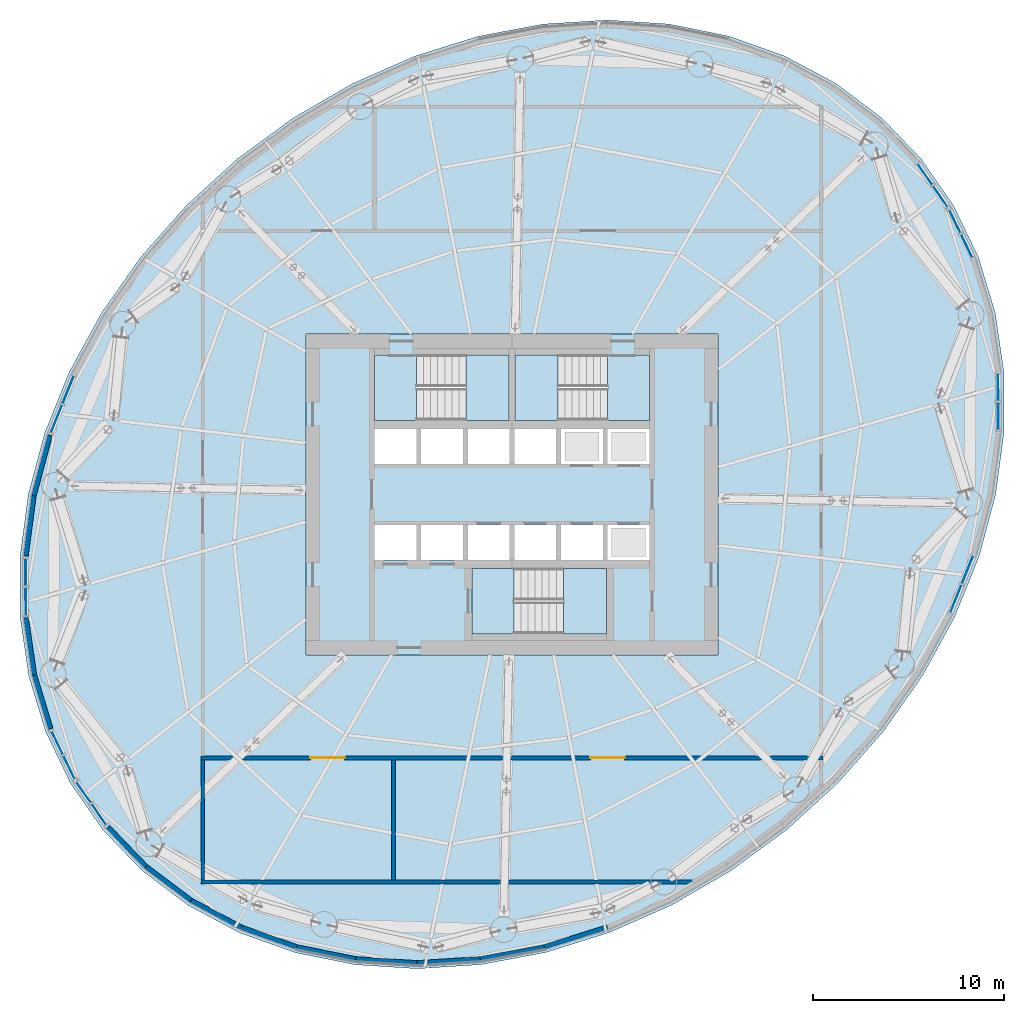
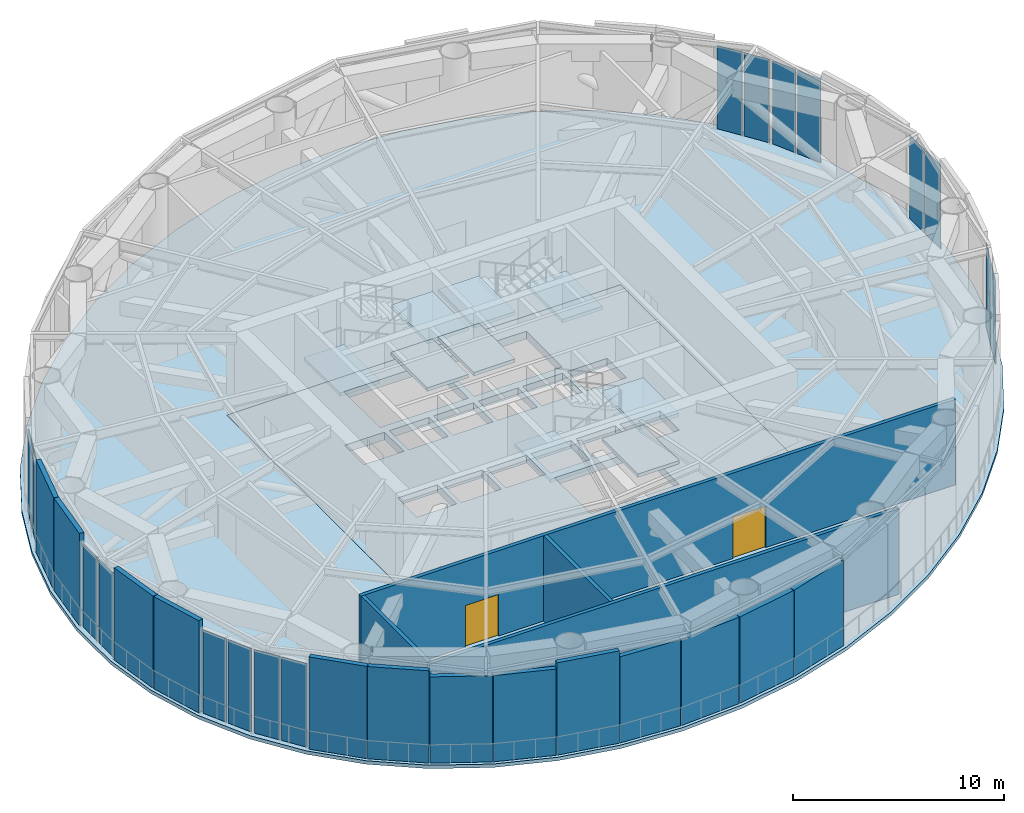
# One storey, part 7 of 19: 17 walls, 16 plates, 11 slabs, 2 doors, 2 openings, 11 elements without a shape of their own.
"""IFC4 building model written with IfcOpenShell, lengths in metres."""

from ifc_helpers import new_model, si_unit, direction, frame, frame_2d, origin, origin_2d, place, context, subcontext, project, spatial, polyline, rectangle, outline, extrude, material, layer, layer_set, type_object, element, fill, aggregate, save


model = new_model("IFC4")

# Units and contexts
model_context = context("Model", 3, precision=1e-05, world=origin(), true_north=direction((0.0, 1.0)))
body_context = subcontext(model_context, "Body", "Model", "MODEL_VIEW")
ifc_project = project(units=[si_unit("LENGTHUNIT", "METRE"), si_unit("AREAUNIT", "SQUARE_METRE"), si_unit("VOLUMEUNIT", "CUBIC_METRE"), si_unit("PLANEANGLEUNIT", "RADIAN"), si_unit("MASSUNIT", "GRAM", prefix="KILO")], contexts=[model_context])

# Site, building, storey
site_placement = place(None, origin())
site = spatial("IfcSite", under=ifc_project, at=site_placement, CompositionType="ELEMENT")
building_placement = place(site_placement, origin())
building = spatial("IfcBuilding", under=site, at=building_placement, Name="Vermilion Reach Broadcast Tower", CompositionType="ELEMENT")
storey_placement = place(building_placement, frame((0.0, 0.0, 190.199951171875)))
storey = spatial("IfcBuildingStorey", under=building, at=storey_placement, Name="L46", CompositionType="ELEMENT", Elevation=190.199951171875)

# Curtain wall, plates
ifc_material_1 = material(Name="Low-e laminated clear glass in aluminium frame", Category="aluminium")
curtain_wall_type = type_object("IfcCurtainWallType", Name="Belt glazing curtain wall", PredefinedType="NOTDEFINED", material=ifc_material_1)
placement_1 = place(storey_placement, origin())
curtain_wall_1 = element("IfcCurtainWall", 1, at=placement_1, inside=storey, type_object=curtain_wall_type, Name="Sky lobby glazing L46 01", PredefinedType="NOTDEFINED")
ifc_material_2 = material(Name="Low-e laminated clear glass", Category="glass")
ifc_layer_1 = layer(ifc_material_2, 0.035888671875)
ifc_layer_set_1 = layer_set([ifc_layer_1], Name="Belt glazing glass panel")
plate_type = type_object("IfcPlateType", Name="Belt glazing glass panel", PredefinedType="CURTAIN_PANEL", material=ifc_layer_set_1)
plate_1_placement = place(storey_placement, frame((-29.241455078125, 5.47802734375, 0.0), z_axis=(0.0, 0.0, 1.0), x_axis=(-0.373605283717, -0.927587781279, 0.0)))
plate_1 = element("IfcPlate", 2, at=plate_1_placement, type_object=plate_type, Name="Sky lobby glazing glass panel L46 01.1.1", PredefinedType="CURTAIN_PANEL", context=body_context, shape_type="SweptSolid", body=[
    extrude(rectangle(XDim=1.55029296875, YDim=0.035888671875, at=origin_2d()), origin(), (0.0, 0.0, 1.0), 4.830078125),
])
plate_2_placement = place(storey_placement, frame((-29.85791015625, 3.947265625, 0.0), z_axis=(0.0, 0.0, 1.0), x_axis=(-0.373605283717, -0.927587781279, 0.0)))
plate_2 = element("IfcPlate", 3, at=plate_2_placement, type_object=plate_type, Name="Sky lobby glazing glass panel L46 01.2.1", PredefinedType="CURTAIN_PANEL", context=body_context, shape_type="SweptSolid", body=[
    extrude(rectangle(XDim=1.55029296875, YDim=0.035888671875, at=origin_2d()), origin(), (0.0, 0.0, 1.0), 4.830078125),
])
aggregate(curtain_wall_1, [plate_1, plate_2])

curtain_wall_2 = element("IfcCurtainWall", 4, at=placement_1, inside=storey, type_object=curtain_wall_type, Name="Sky lobby glazing L46 01", PredefinedType="NOTDEFINED")
plate_3_placement = place(storey_placement, frame((-31.46435546875, -4.08544921875, 0.0), z_axis=(0.0, 0.0, 1.0), x_axis=(0.002886255127, -0.999995834757, 0.0)))
plate_3 = element("IfcPlate", 5, at=plate_3_placement, type_object=plate_type, Name="Sky lobby glazing glass panel L46 01.1.1", PredefinedType="CURTAIN_PANEL", context=body_context, shape_type="SweptSolid", body=[
    extrude(rectangle(XDim=1.422607421875, YDim=0.035888671875, at=origin_2d()), origin(), (0.0, 0.0, 1.0), 4.830078125),
])
plate_4_placement = place(storey_placement, frame((-31.4599609375, -5.608154296875, 0.0), z_axis=(0.0, 0.0, 1.0), x_axis=(0.002886255127, -0.999995834757, 0.0)))
plate_4 = element("IfcPlate", 6, at=plate_4_placement, type_object=plate_type, Name="Sky lobby glazing glass panel L46 01.2.1", PredefinedType="CURTAIN_PANEL", context=body_context, shape_type="SweptSolid", body=[
    extrude(rectangle(XDim=1.422607421875, YDim=0.035888671875, at=origin_2d()), origin(), (0.0, 0.0, 1.0), 4.830078125),
])
aggregate(curtain_wall_2, [plate_3, plate_4])

curtain_wall_3 = element("IfcCurtainWall", 7, at=placement_1, inside=storey, type_object=curtain_wall_type, Name="Sky lobby glazing L46 01", PredefinedType="NOTDEFINED")
plate_5_placement = place(storey_placement, frame((-29.8134765625, -13.01025390625, 0.0), z_axis=(0.0, 0.0, 1.0), x_axis=(0.433902016358, -0.900960065819, 0.0)))
plate_5 = element("IfcPlate", 8, at=plate_5_placement, type_object=plate_type, Name="Sky lobby glazing glass panel L46 01.1.1", PredefinedType="CURTAIN_PANEL", context=body_context, shape_type="SweptSolid", body=[
    extrude(rectangle(XDim=1.325439453125, YDim=0.035888671875, at=origin_2d()), origin(), (0.0, 0.0, 1.0), 4.830078125),
])
plate_6_placement = place(storey_placement, frame((-29.19482421875, -14.294677734375, 0.0), z_axis=(0.0, 0.0, 1.0), x_axis=(0.433902016358, -0.900960065819, 0.0)))
plate_6 = element("IfcPlate", 9, at=plate_6_placement, type_object=plate_type, Name="Sky lobby glazing glass panel L46 01.2.1", PredefinedType="CURTAIN_PANEL", context=body_context, shape_type="SweptSolid", body=[
    extrude(rectangle(XDim=1.325439453125, YDim=0.035888671875, at=origin_2d()), origin(), (0.0, 0.0, 1.0), 4.830078125),
])
aggregate(curtain_wall_3, [plate_5, plate_6])

curtain_wall_4 = element("IfcCurtainWall", 10, at=placement_1, inside=storey, type_object=curtain_wall_type, Name="Sky lobby glazing L46 02", PredefinedType="NOTDEFINED")
plate_7_placement = place(storey_placement, frame((-28.432373046875, -15.60302734375, 0.0), z_axis=(0.0, 0.0, 1.0), x_axis=(0.570524096839, -0.821280862388, 0.0)))
plate_7 = element("IfcPlate", 11, at=plate_7_placement, type_object=plate_type, Name="Sky lobby glazing glass panel L46 02.1.1", PredefinedType="CURTAIN_PANEL", context=body_context, shape_type="SweptSolid", body=[
    extrude(rectangle(XDim=1.31298828125, YDim=0.035888671875, at=origin_2d()), origin(), (0.0, 0.0, 1.0), 4.830078125),
])
plate_8_placement = place(storey_placement, frame((-27.626220703125, -16.763427734375, 0.0), z_axis=(0.0, 0.0, 1.0), x_axis=(0.570524096839, -0.821280862388, 0.0)))
plate_8 = element("IfcPlate", 12, at=plate_8_placement, type_object=plate_type, Name="Sky lobby glazing glass panel L46 02.2.1", PredefinedType="CURTAIN_PANEL", context=body_context, shape_type="SweptSolid", body=[
    extrude(rectangle(XDim=1.31298828125, YDim=0.035888671875, at=origin_2d()), origin(), (0.0, 0.0, 1.0), 4.830078125),
])
aggregate(curtain_wall_4, [plate_7, plate_8])

curtain_wall_5 = element("IfcCurtainWall", 13, at=placement_1, inside=storey, type_object=curtain_wall_type, Name="Sky lobby glazing L46 01", PredefinedType="NOTDEFINED")
plate_9_placement = place(storey_placement, frame((17.241455078125, -5.47802734375, 0.0), z_axis=(0.0, 0.0, 1.0), x_axis=(0.373605283717, 0.927587781279, 0.0)))
plate_9 = element("IfcPlate", 14, at=plate_9_placement, type_object=plate_type, Name="Sky lobby glazing glass panel L46 01.1.1", PredefinedType="CURTAIN_PANEL", context=body_context, shape_type="SweptSolid", body=[
    extrude(rectangle(XDim=1.55029296875, YDim=0.035888671875, at=origin_2d()), origin(), (0.0, 0.0, 1.0), 4.830078125),
])
plate_10_placement = place(storey_placement, frame((17.85791015625, -3.947265625, 0.0), z_axis=(0.0, 0.0, 1.0), x_axis=(0.373605283717, 0.927587781279, 0.0)))
plate_10 = element("IfcPlate", 15, at=plate_10_placement, type_object=plate_type, Name="Sky lobby glazing glass panel L46 01.2.1", PredefinedType="CURTAIN_PANEL", context=body_context, shape_type="SweptSolid", body=[
    extrude(rectangle(XDim=1.55029296875, YDim=0.035888671875, at=origin_2d()), origin(), (0.0, 0.0, 1.0), 4.830078125),
])
aggregate(curtain_wall_5, [plate_9, plate_10])

curtain_wall_6 = element("IfcCurtainWall", 16, at=placement_1, inside=storey, type_object=curtain_wall_type, Name="Sky lobby glazing L46 01", PredefinedType="NOTDEFINED")
plate_11_placement = place(storey_placement, frame((19.46435546875, 4.08544921875, 0.0), z_axis=(0.0, 0.0, 1.0), x_axis=(-0.002886255127, 0.999995834757, 0.0)))
plate_11 = element("IfcPlate", 17, at=plate_11_placement, type_object=plate_type, Name="Sky lobby glazing glass panel L46 01.1.1", PredefinedType="CURTAIN_PANEL", context=body_context, shape_type="SweptSolid", body=[
    extrude(rectangle(XDim=1.422607421875, YDim=0.035888671875, at=origin_2d()), origin(), (0.0, 0.0, 1.0), 4.830078125),
])
plate_12_placement = place(storey_placement, frame((19.4599609375, 5.608154296875, 0.0), z_axis=(0.0, 0.0, 1.0), x_axis=(-0.002886255127, 0.999995834757, 0.0)))
plate_12 = element("IfcPlate", 18, at=plate_12_placement, type_object=plate_type, Name="Sky lobby glazing glass panel L46 01.2.1", PredefinedType="CURTAIN_PANEL", context=body_context, shape_type="SweptSolid", body=[
    extrude(rectangle(XDim=1.422607421875, YDim=0.035888671875, at=origin_2d()), origin(), (0.0, 0.0, 1.0), 4.830078125),
])
aggregate(curtain_wall_6, [plate_11, plate_12])

curtain_wall_7 = element("IfcCurtainWall", 19, at=placement_1, inside=storey, type_object=curtain_wall_type, Name="Sky lobby glazing L46 01", PredefinedType="NOTDEFINED")
plate_13_placement = place(storey_placement, frame((17.8134765625, 13.01025390625, 0.0), z_axis=(0.0, 0.0, 1.0), x_axis=(-0.433902016358, 0.900960065819, 0.0)))
plate_13 = element("IfcPlate", 20, at=plate_13_placement, type_object=plate_type, Name="Sky lobby glazing glass panel L46 01.1.1", PredefinedType="CURTAIN_PANEL", context=body_context, shape_type="SweptSolid", body=[
    extrude(rectangle(XDim=1.325439453125, YDim=0.035888671875, at=origin_2d()), origin(), (0.0, 0.0, 1.0), 4.830078125),
])
plate_14_placement = place(storey_placement, frame((17.19482421875, 14.294677734375, 0.0), z_axis=(0.0, 0.0, 1.0), x_axis=(-0.433902016358, 0.900960065819, 0.0)))
plate_14 = element("IfcPlate", 21, at=plate_14_placement, type_object=plate_type, Name="Sky lobby glazing glass panel L46 01.2.1", PredefinedType="CURTAIN_PANEL", context=body_context, shape_type="SweptSolid", body=[
    extrude(rectangle(XDim=1.325439453125, YDim=0.035888671875, at=origin_2d()), origin(), (0.0, 0.0, 1.0), 4.830078125),
])
aggregate(curtain_wall_7, [plate_13, plate_14])

curtain_wall_8 = element("IfcCurtainWall", 22, at=placement_1, inside=storey, type_object=curtain_wall_type, Name="Sky lobby glazing L46 02", PredefinedType="NOTDEFINED")
plate_15_placement = place(storey_placement, frame((16.432373046875, 15.60302734375, 0.0), z_axis=(0.0, 0.0, 1.0), x_axis=(-0.570524096839, 0.821280862388, 0.0)))
plate_15 = element("IfcPlate", 23, at=plate_15_placement, type_object=plate_type, Name="Sky lobby glazing glass panel L46 02.1.1", PredefinedType="CURTAIN_PANEL", context=body_context, shape_type="SweptSolid", body=[
    extrude(rectangle(XDim=1.31298828125, YDim=0.035888671875, at=origin_2d()), origin(), (0.0, 0.0, 1.0), 4.830078125),
])
plate_16_placement = place(storey_placement, frame((15.626220703125, 16.763427734375, 0.0), z_axis=(0.0, 0.0, 1.0), x_axis=(-0.570524096839, 0.821280862388, 0.0)))
plate_16 = element("IfcPlate", 24, at=plate_16_placement, type_object=plate_type, Name="Sky lobby glazing glass panel L46 02.2.1", PredefinedType="CURTAIN_PANEL", context=body_context, shape_type="SweptSolid", body=[
    extrude(rectangle(XDim=1.31298828125, YDim=0.035888671875, at=origin_2d()), origin(), (0.0, 0.0, 1.0), 4.830078125),
])
aggregate(curtain_wall_8, [plate_15, plate_16])

# Slab
ifc_material_3 = material(Name="Concrete C40", Category="concrete")
ifc_layer_2 = layer(ifc_material_3, 0.449951171875)
ifc_layer_set_2 = layer_set([ifc_layer_2], Name="Core floor slab 450 mm Concrete C40")
slab_type_1 = type_object("IfcSlabType", Name="Core floor slab 450 mm Concrete C40", PredefinedType="FLOOR", material=ifc_layer_set_2)
slab_1_placement = place(storey_placement, frame((0.0, 0.0, -0.449951171875)))
element("IfcSlab", 25, at=slab_1_placement, inside=storey, type_object=slab_type_1, Name="L46 core floor", PredefinedType="FLOOR", context=body_context, shape_type="SweptSolid", body=[
    extrude(outline(polyline([(-16.800048828125, -8.39990234375), (4.800048828125, -8.39990234375), (4.800048828125, 8.39990234375), (-16.800048828125, 8.39990234375), (-16.800048828125, -8.39990234375)]), holes=[polyline([(-13.199951171875, 1.60009765625), (-11.00830078125, 1.60009765625), (-11.00830078125, 3.429931640625), (-13.199951171875, 3.429931640625), (-13.199951171875, 1.60009765625)]), polyline([(-10.75830078125, 1.60009765625), (-8.566650390625, 1.60009765625), (-8.566650390625, 3.429931640625), (-10.75830078125, 3.429931640625), (-10.75830078125, 1.60009765625)]), polyline([(-8.316650390625, 1.60009765625), (-6.125, 1.60009765625), (-6.125, 3.429931640625), (-8.316650390625, 3.429931640625), (-8.316650390625, 1.60009765625)]), polyline([(-5.875, 1.60009765625), (-3.683349609375, 1.60009765625), (-3.683349609375, 3.429931640625), (-5.875, 3.429931640625), (-5.875, 1.60009765625)]), polyline([(-3.433349609375, 1.60009765625), (-1.24169921875, 1.60009765625), (-1.24169921875, 3.429931640625), (-3.433349609375, 3.429931640625), (-3.433349609375, 1.60009765625)]), polyline([(-0.99169921875, 1.60009765625), (1.199951171875, 1.60009765625), (1.199951171875, 3.429931640625), (-0.99169921875, 3.429931640625), (-0.99169921875, 1.60009765625)]), polyline([(-13.199951171875, -3.429931640625), (-11.00830078125, -3.429931640625), (-11.00830078125, -1.60009765625), (-13.199951171875, -1.60009765625), (-13.199951171875, -3.429931640625)]), polyline([(-10.75830078125, -3.429931640625), (-8.566650390625, -3.429931640625), (-8.566650390625, -1.60009765625), (-10.75830078125, -1.60009765625), (-10.75830078125, -3.429931640625)]), polyline([(-8.316650390625, -3.429931640625), (-6.125, -3.429931640625), (-6.125, -1.60009765625), (-8.316650390625, -1.60009765625), (-8.316650390625, -3.429931640625)]), polyline([(-5.875, -3.429931640625), (-3.683349609375, -3.429931640625), (-3.683349609375, -1.60009765625), (-5.875, -1.60009765625), (-5.875, -3.429931640625)]), polyline([(-3.433349609375, -3.429931640625), (-1.24169921875, -3.429931640625), (-1.24169921875, -1.60009765625), (-3.433349609375, -1.60009765625), (-3.433349609375, -3.429931640625)]), polyline([(-0.99169921875, -3.429931640625), (1.199951171875, -3.429931640625), (1.199951171875, -1.60009765625), (-0.99169921875, -1.60009765625), (-0.99169921875, -3.429931640625)]), polyline([(-10.999267578125, 3.8798828125), (-6.14990234375, 3.8798828125), (-6.14990234375, 7.300048828125), (-10.999267578125, 7.300048828125), (-10.999267578125, 3.8798828125)]), polyline([(-1.000732421875, 7.300048828125), (-5.85009765625, 7.300048828125), (-5.85009765625, 3.8798828125), (-1.000732421875, 3.8798828125), (-1.000732421875, 7.300048828125)]), polyline([(-5.8994140625, -7.300048828125), (-1.050048828125, -7.300048828125), (-1.050048828125, -3.8798828125), (-5.8994140625, -3.8798828125), (-5.8994140625, -7.300048828125)])]), origin(), (0.0, 0.0, 1.0), 0.449951171875),
])

# Stair, slabs
ifc_material_4 = material(Name="Concrete C40", Category="concrete")
stair_type = type_object("IfcStairType", Name="Exit stair RC 32 risers 172 mm", PredefinedType="HALF_TURN_STAIR", material=ifc_material_4)
stair_1 = element("IfcStair", 26, at=placement_1, inside=storey, type_object=stair_type, Name="L46 Exit stair ST1", PredefinedType="HALF_TURN_STAIR")
ifc_material_5 = material(Name="Concrete C40", Category="concrete")
ifc_layer_3 = layer(ifc_material_5, 0.199951171875)
ifc_layer_set_3 = layer_set([ifc_layer_3], Name="Exit stair landing Concrete C40")
slab_type_2 = type_object("IfcSlabType", Name="Exit stair landing Concrete C40", PredefinedType="LANDING", material=ifc_layer_set_3)
placement_2 = place(storey_placement, frame((0.0, 0.0, 1.175048828125)))
slab_2 = element("IfcSlab", 27, at=placement_2, type_object=slab_type_2, Name="ST1 landing 1", PredefinedType="LANDING", context=body_context, shape_type="SweptSolid", body=[
    extrude(outline(polyline([(-8.409912109375, 3.8798828125), (-6.14990234375, 3.8798828125), (-6.14990234375, 7.300048828125), (-8.409912109375, 7.300048828125), (-8.409912109375, 3.8798828125)])), origin(), (0.0, 0.0, 1.0), 0.199951171875),
])
placement_3 = place(storey_placement, frame((0.0, 0.0, 2.550048828125)))
slab_3 = element("IfcSlab", 28, at=placement_3, type_object=slab_type_2, Name="ST1 landing 2", PredefinedType="LANDING", context=body_context, shape_type="SweptSolid", body=[
    extrude(outline(polyline([(-13.199951171875, 3.8798828125), (-11.0, 3.8798828125), (-11.0, 7.300048828125), (-13.199951171875, 7.300048828125), (-13.199951171875, 3.8798828125)])), origin(), (0.0, 0.0, 1.0), 0.199951171875),
])
placement_4 = place(storey_placement, frame((0.0, 0.0, 3.925048828125)))
slab_4 = element("IfcSlab", 29, at=placement_4, type_object=slab_type_2, Name="ST1 landing 3", PredefinedType="LANDING", context=body_context, shape_type="SweptSolid", body=[
    extrude(outline(polyline([(-8.409912109375, 3.8798828125), (-6.14990234375, 3.8798828125), (-6.14990234375, 7.300048828125), (-8.409912109375, 7.300048828125), (-8.409912109375, 3.8798828125)])), origin(), (0.0, 0.0, 1.0), 0.199951171875),
])
aggregate(stair_1, [slab_2, slab_3, slab_4])

stair_2 = element("IfcStair", 30, at=placement_1, inside=storey, type_object=stair_type, Name="L46 Exit stair ST2", PredefinedType="HALF_TURN_STAIR")
slab_5 = element("IfcSlab", 31, at=placement_2, type_object=slab_type_2, Name="ST2 landing 1", PredefinedType="LANDING", context=body_context, shape_type="SweptSolid", body=[
    extrude(outline(polyline([(-3.590087890625, 7.300048828125), (-5.85009765625, 7.300048828125), (-5.85009765625, 3.8798828125), (-3.590087890625, 3.8798828125), (-3.590087890625, 7.300048828125)])), origin(), (0.0, 0.0, 1.0), 0.199951171875),
])
slab_6 = element("IfcSlab", 32, at=placement_3, type_object=slab_type_2, Name="ST2 landing 2", PredefinedType="LANDING", context=body_context, shape_type="SweptSolid", body=[
    extrude(outline(polyline([(1.199951171875, 7.300048828125), (-1.0, 7.300048828125), (-1.0, 3.8798828125), (1.199951171875, 3.8798828125), (1.199951171875, 7.300048828125)])), origin(), (0.0, 0.0, 1.0), 0.199951171875),
])
slab_7 = element("IfcSlab", 33, at=placement_4, type_object=slab_type_2, Name="ST2 landing 3", PredefinedType="LANDING", context=body_context, shape_type="SweptSolid", body=[
    extrude(outline(polyline([(-3.590087890625, 7.300048828125), (-5.85009765625, 7.300048828125), (-5.85009765625, 3.8798828125), (-3.590087890625, 3.8798828125), (-3.590087890625, 7.300048828125)])), origin(), (0.0, 0.0, 1.0), 0.199951171875),
])
aggregate(stair_2, [slab_5, slab_6, slab_7])

stair_3 = element("IfcStair", 34, at=placement_1, inside=storey, type_object=stair_type, Name="L46 Exit stair ST3", PredefinedType="HALF_TURN_STAIR")
slab_8 = element("IfcSlab", 35, at=placement_2, type_object=slab_type_2, Name="ST3 landing 1", PredefinedType="LANDING", context=body_context, shape_type="SweptSolid", body=[
    extrude(outline(polyline([(-3.31005859375, -7.300048828125), (-1.050048828125, -7.300048828125), (-1.050048828125, -3.8798828125), (-3.31005859375, -3.8798828125), (-3.31005859375, -7.300048828125)])), origin(), (0.0, 0.0, 1.0), 0.199951171875),
])
slab_9 = element("IfcSlab", 36, at=placement_3, type_object=slab_type_2, Name="ST3 landing 2", PredefinedType="LANDING", context=body_context, shape_type="SweptSolid", body=[
    extrude(outline(polyline([(-8.10009765625, -7.300048828125), (-5.89990234375, -7.300048828125), (-5.89990234375, -3.8798828125), (-8.10009765625, -3.8798828125), (-8.10009765625, -7.300048828125)])), origin(), (0.0, 0.0, 1.0), 0.199951171875),
])
slab_10 = element("IfcSlab", 37, at=placement_4, type_object=slab_type_2, Name="ST3 landing 3", PredefinedType="LANDING", context=body_context, shape_type="SweptSolid", body=[
    extrude(outline(polyline([(-3.31005859375, -7.300048828125), (-1.050048828125, -7.300048828125), (-1.050048828125, -3.8798828125), (-3.31005859375, -3.8798828125), (-3.31005859375, -7.300048828125)])), origin(), (0.0, 0.0, 1.0), 0.199951171875),
])
aggregate(stair_3, [slab_8, slab_9, slab_10])

# Slab
ifc_material_6 = material(Name="Concrete C40", Category="concrete")
ifc_layer_4 = layer(ifc_material_6, 0.199951171875)
ifc_layer_set_4 = layer_set([ifc_layer_4], Name="Floor slab Concrete C40 200")
slab_type_3 = type_object("IfcSlabType", Name="Floor slab Concrete C40 200", PredefinedType="FLOOR", material=ifc_layer_set_4)
slab_11_placement = place(storey_placement, frame((0.0, 0.0, -0.199951171875)))
element("IfcSlab", 38, at=slab_11_placement, inside=storey, type_object=slab_type_3, Name="Floor slab L46", PredefinedType="FLOOR", context=body_context, shape_type="SweptSolid", body=[
    extrude(outline(polyline([(15.4267578125, 17.574951171875), (13.363525390625, 19.71630859375), (10.968994140625, 21.5205078125), (8.284423828125, 22.956298828125), (5.355224609375, 23.999267578125), (2.231689453125, 24.6318359375), (-1.03271484375, 24.8427734375), (-4.3818359375, 24.628662109375), (-7.759033203125, 23.9931640625), (-11.10595703125, 22.947021484375), (-14.365478515625, 21.508544921875), (-17.481689453125, 19.70166015625), (-20.40185546875, 17.557861328125), (-23.0751953125, 15.11376953125), (-25.45654296875, 12.410888671875), (-27.505126953125, 9.495849609375), (-29.185546875, 6.418212890625), (-30.469482421875, 3.230712890625), (-31.33447265625, -0.011962890625), (-31.76611328125, -3.254638671875), (-31.7568359375, -6.44140625), (-31.306884765625, -9.51806640625), (-30.424072265625, -12.431884765625), (-29.123046875, -15.1328125), (-27.4267578125, -17.574951171875), (-25.363525390625, -19.71630859375), (-22.968994140625, -21.5205078125), (-20.284423828125, -22.956298828125), (-17.355224609375, -23.999267578125), (-14.231689453125, -24.6318359375), (-10.96728515625, -24.8427734375), (-7.6181640625, -24.628662109375), (-4.240966796875, -23.9931640625), (-0.89404296875, -22.947021484375), (2.365478515625, -21.508544921875), (5.481689453125, -19.70166015625), (8.40185546875, -17.557861328125), (11.0751953125, -15.11376953125), (13.45654296875, -12.410888671875), (15.505126953125, -9.495849609375), (17.185546875, -6.418212890625), (18.469482421875, -3.230712890625), (19.33447265625, 0.011962890625), (19.76611328125, 3.254638671875), (19.7568359375, 6.44140625), (19.306884765625, 9.51806640625), (18.424072265625, 12.431884765625), (17.123046875, 15.1328125), (15.4267578125, 17.574951171875)]), holes=[polyline([(-16.800048828125, -8.39990234375), (4.800048828125, -8.39990234375), (4.800048828125, 8.39990234375), (-16.800048828125, 8.39990234375), (-16.800048828125, -8.39990234375)])]), origin(), (0.0, 0.0, 1.0), 0.199951171875),
])

# Wall, openings, doors
ifc_material_7 = material(Name="Gypsum board shaft wall")
ifc_layer_5 = layer(ifc_material_7, 0.199951171875)
ifc_layer_set_5 = layer_set([ifc_layer_5], Name="Plant room wall 200")
wall_type_1 = type_object("IfcWallType", Name="Plant room wall 200", PredefinedType="PARTITIONING", material=ifc_layer_set_5)
wall_1_placement = place(storey_placement, frame((-22.300048828125, -13.800048828125, 0.0), z_axis=(0.0, 0.0, 1.0), x_axis=(1.0, 0.0, 0.0)))
wall_1 = element("IfcWall", 39, at=wall_1_placement, inside=storey, type_object=wall_type_1, Name="sp.wall.L46.001", PredefinedType="PARTITIONING", context=body_context, shape_type="SweptSolid", body=[
    extrude(rectangle(XDim=32.60009765625, YDim=0.199951171875, at=frame_2d((16.300048828125, 0.0))), origin(), (0.0, 0.0, 1.0), 4.949951171875),
])
opening_1_placement = place(wall_1_placement, frame((5.737548828125, 0.0, 0.0)))
opening_1 = element("IfcOpeningElement", 40, at=opening_1_placement, cuts=wall_1, Name="Opening D53", PredefinedType="OPENING", context=body_context, shape_type="SweptSolid", body=[
    extrude(rectangle(XDim=1.800048828125, YDim=2.39990234375, at=frame_2d((0.89990234375, 1.199951171875))), frame((0.0, 0.10986328125, 0.0), z_axis=(0.0, -1.0, 0.0), x_axis=(1.0, 0.0, 0.0)), (0.0, 0.0, 1.0), 0.219970703125),
])
opening_2_placement = place(wall_1_placement, frame((20.39990234375, 0.0, 0.0)))
opening_2 = element("IfcOpeningElement", 41, at=opening_2_placement, cuts=wall_1, Name="Opening D53", PredefinedType="OPENING", context=body_context, shape_type="SweptSolid", body=[
    extrude(rectangle(XDim=1.800048828125, YDim=2.39990234375, at=frame_2d((0.89990234375, 1.199951171875))), frame((0.0, 0.10986328125, 0.0), z_axis=(0.0, -1.0, 0.0), x_axis=(1.0, 0.0, 0.0)), (0.0, 0.0, 1.0), 0.219970703125),
])
ifc_material_8 = material(Name="Timber and steel door set", Category="steel")
door_type = type_object("IfcDoorType", Name="Plant double door 1800x2400", OperationType="NOTDEFINED", PredefinedType="DOOR", material=ifc_material_8)
door_1_placement = place(opening_1_placement, origin())
door_1 = element("IfcDoor", 42, at=door_1_placement, inside=storey, type_object=door_type, Name="sp.door.L46.002", OperationType="DOUBLE_DOOR_SINGLE_SWING", OverallHeight=2.39990234375, OverallWidth=1.800048828125, PredefinedType="DOOR", context=body_context, shape_type="SweptSolid", body=[
    extrude(rectangle(XDim=1.800048828125, YDim=2.39990234375, at=frame_2d((0.89990234375, 1.199951171875))), frame((0.0, 0.02490234375, 0.0), z_axis=(0.0, -1.0, 0.0), x_axis=(1.0, 0.0, 0.0)), (0.0, 0.0, 1.0), 0.050048828125),
])
fill(opening_1, door_1)
door_2_placement = place(opening_2_placement, origin())
door_2 = element("IfcDoor", 43, at=door_2_placement, inside=storey, type_object=door_type, Name="sp.door.L46.003", OperationType="DOUBLE_DOOR_SINGLE_SWING", OverallHeight=2.39990234375, OverallWidth=1.800048828125, PredefinedType="DOOR", context=body_context, shape_type="SweptSolid", body=[
    extrude(rectangle(XDim=1.800048828125, YDim=2.39990234375, at=frame_2d((0.89990234375, 1.199951171875))), frame((0.0, 0.02490234375, 0.0), z_axis=(0.0, -1.0, 0.0), x_axis=(1.0, 0.0, 0.0)), (0.0, 0.0, 1.0), 0.050048828125),
])
fill(opening_2, door_2)

# Walls
for number, where, z_axis, x_axis, name in (
    (44, (-22.199951171875, -20.199951171875, 0.0), (0.0, 0.0, 1.0), (0.0, 1.0, 0.0), "sp.wall.L46.006"),
    (45, (-12.199951171875, -20.199951171875, 0.0), (0.0, 0.0, 1.0), (0.0, 1.0, 0.0), "sp.wall.L46.010"),
):
    element("IfcWall", number, at=place(storey_placement, frame(where, z_axis=z_axis, x_axis=x_axis)), inside=storey, type_object=wall_type_1, Name=name, PredefinedType="PARTITIONING", context=body_context, shape_type="SweptSolid", body=[
        extrude(rectangle(XDim=6.300048828125, YDim=0.199951171875, at=frame_2d((3.14990234375, 0.0))), origin(), (0.0, 0.0, 1.0), 4.949951171875),
    ])
wall_2_placement = place(storey_placement, frame((-22.300048828125, -20.300048828125, 0.0), z_axis=(0.0, 0.0, 1.0), x_axis=(1.0, 0.0, 0.0)))
element("IfcWall", 46, at=wall_2_placement, inside=storey, type_object=wall_type_1, Name="sp.wall.L46.011", PredefinedType="PARTITIONING", context=body_context, shape_type="SweptSolid", body=[
    extrude(rectangle(XDim=25.7529296875, YDim=0.199951171875, at=frame_2d((12.87646484375, 0.0))), origin(), (0.0, 0.0, 1.0), 4.949951171875),
])
ifc_material_9 = material(Name="Terracotta rainscreen cladding", Category="masonry")
ifc_layer_6 = layer(ifc_material_9, 0.25)
ifc_layer_set_6 = layer_set([ifc_layer_6], Name="Terracotta rainscreen wall 250")
wall_type_2 = type_object("IfcWallType", Name="Terracotta rainscreen wall 250", PredefinedType="SOLIDWALL", material=ifc_layer_set_6)
wall_3_placement = place(storey_placement, frame((-30.198974609375, 3.08251953125, 0.0), z_axis=(0.0, 0.0, 1.0), x_axis=(-0.257751437644, -0.966211258676, 0.0)))
element("IfcWall", 47, at=wall_3_placement, inside=storey, type_object=wall_type_2, Name="Sky lobby wall L46 17", PredefinedType="SOLIDWALL", context=body_context, shape_type="SweptSolid", body=[
    extrude(rectangle(XDim=3.251708984375, YDim=0.25, at=frame_2d((1.6259765625, 0.0))), origin(), (0.0, 0.0, 1.0), 5.35009765625),
])
wall_4_placement = place(storey_placement, frame((-31.0419921875, -0.082763671875, 0.0), z_axis=(0.0, 0.0, 1.0), x_axis=(-0.13192115827, -0.991260212054, 0.0)))
element("IfcWall", 48, at=wall_4_placement, inside=storey, type_object=wall_type_2, Name="Sky lobby wall L46 18", PredefinedType="SOLIDWALL", context=body_context, shape_type="SweptSolid", body=[
    extrude(rectangle(XDim=3.16455078125, YDim=0.25, at=frame_2d((1.582275390625, 0.0))), origin(), (0.0, 0.0, 1.0), 5.35009765625),
])
wall_5_placement = place(storey_placement, frame((-31.44970703125, -6.473876953125, 0.0), z_axis=(0.0, 0.0, 1.0), x_axis=(0.144659139675, -0.989481547735, 0.0)))
element("IfcWall", 49, at=wall_5_placement, inside=storey, type_object=wall_type_2, Name="Sky lobby wall L46 20", PredefinedType="SOLIDWALL", context=body_context, shape_type="SweptSolid", body=[
    extrude(rectangle(XDim=2.997314453125, YDim=0.25, at=frame_2d((1.49853515625, 0.0))), origin(), (0.0, 0.0, 1.0), 5.35009765625),
])
wall_6_placement = place(storey_placement, frame((-31.01025390625, -9.465576171875, 0.0), z_axis=(0.0, 0.0, 1.0), x_axis=(0.289968091903, -0.957036313667, 0.0)))
element("IfcWall", 50, at=wall_6_placement, inside=storey, type_object=wall_type_2, Name="Sky lobby wall L46 21", PredefinedType="SOLIDWALL", context=body_context, shape_type="SweptSolid", body=[
    extrude(rectangle(XDim=2.930908203125, YDim=0.25, at=frame_2d((1.46533203125, 0.0))), origin(), (0.0, 0.0, 1.0), 5.35009765625),
])
wall_7_placement = place(storey_placement, frame((-27.156494140625, -17.42431640625, 0.0), z_axis=(0.0, 0.0, 1.0), x_axis=(0.693823952471, -0.720144654203, 0.0)))
element("IfcWall", 51, at=wall_7_placement, inside=storey, type_object=wall_type_2, Name="Sky lobby wall L46 24", PredefinedType="SOLIDWALL", context=body_context, shape_type="SweptSolid", body=[
    extrude(rectangle(XDim=2.85693359375, YDim=0.25, at=frame_2d((1.428466796875, 0.0))), origin(), (0.0, 0.0, 1.0), 5.35009765625),
])
wall_8_placement = place(storey_placement, frame((-25.153564453125, -19.500244140625, 0.0), z_axis=(0.0, 0.0, 1.0), x_axis=(0.798715416711, -0.601708968779, 0.0)))
element("IfcWall", 52, at=wall_8_placement, inside=storey, type_object=wall_type_2, Name="Sky lobby wall L46 25", PredefinedType="SOLIDWALL", context=body_context, shape_type="SweptSolid", body=[
    extrude(rectangle(XDim=2.92333984375, YDim=0.25, at=frame_2d((1.461669921875, 0.0))), origin(), (0.0, 0.0, 1.0), 5.35009765625),
])
wall_9_placement = place(storey_placement, frame((-17.262451171875, -23.712890625, 0.0), z_axis=(0.0, 0.0, 1.0), x_axis=(0.980126614291, -0.198372931515, 0.0)))
element("IfcWall", 53, at=wall_9_placement, inside=storey, type_object=wall_type_2, Name="Sky lobby wall L46 28", PredefinedType="SOLIDWALL", context=body_context, shape_type="SweptSolid", body=[
    extrude(rectangle(XDim=3.119873046875, YDim=0.25, at=frame_2d((1.56005859375, 0.0))), origin(), (0.0, 0.0, 1.0), 5.35009765625),
])
ifc_material_10 = material(Name="Terracotta rainscreen cladding", Category="masonry")
ifc_layer_7 = layer(ifc_material_10, 0.25)
ifc_layer_set_7 = layer_set([ifc_layer_7], Name="Terracotta rainscreen wall 250, head 350 below soffit")
wall_type_3 = type_object("IfcWallType", Name="Terracotta rainscreen wall 250, head 350 below soffit", PredefinedType="SOLIDWALL", material=ifc_layer_set_7)
wall_10_placement = place(storey_placement, frame((-22.795654296875, -21.27392578125, 0.0), z_axis=(0.0, 0.0, 1.0), x_axis=(0.881818008651, -0.471589863779, 0.0)))
element("IfcWall", 54, at=wall_10_placement, inside=storey, type_object=wall_type_3, Name="Sky lobby wall L46 26", PredefinedType="SOLIDWALL", context=body_context, shape_type="SweptSolid", body=[
    extrude(rectangle(XDim=2.97216796875, YDim=0.25, at=frame_2d((1.486083984375, 0.0))), origin(), (0.0, 0.0, 1.0), 5.0),
])
wall_11_placement = place(storey_placement, frame((-20.150634765625, -22.686279296875, 0.0), z_axis=(0.0, 0.0, 1.0), x_axis=(0.942061335215, -0.335440666427, 0.0)))
element("IfcWall", 55, at=wall_11_placement, inside=storey, type_object=wall_type_3, Name="Sky lobby wall L46 27", PredefinedType="SOLIDWALL", context=body_context, shape_type="SweptSolid", body=[
    extrude(rectangle(XDim=3.039306640625, YDim=0.25, at=frame_2d((1.51953125, 0.0))), origin(), (0.0, 0.0, 1.0), 5.0),
])
wall_12_placement = place(storey_placement, frame((-14.179931640625, -24.335205078125, 0.0), z_axis=(0.0, 0.0, 1.0), x_axis=(0.997919151324, -0.064477650558, 0.0)))
element("IfcWall", 56, at=wall_12_placement, inside=storey, type_object=wall_type_3, Name="Sky lobby wall L46 29", PredefinedType="SOLIDWALL", context=body_context, shape_type="SweptSolid", body=[
    extrude(rectangle(XDim=3.20703125, YDim=0.25, at=frame_2d((1.603515625, 0.0))), origin(), (0.0, 0.0, 1.0), 5.0),
])
wall_13_placement = place(storey_placement, frame((-10.95556640625, -24.5419921875, 0.0), z_axis=(0.0, 0.0, 1.0), x_axis=(0.997963065433, 0.063794357364, 0.0)))
element("IfcWall", 57, at=wall_13_placement, inside=storey, type_object=wall_type_3, Name="Sky lobby wall L46 30", PredefinedType="SOLIDWALL", context=body_context, shape_type="SweptSolid", body=[
    extrude(rectangle(XDim=3.294921875, YDim=0.25, at=frame_2d((1.6474609375, 0.0))), origin(), (0.0, 0.0, 1.0), 5.0),
])
wall_14_placement = place(storey_placement, frame((-7.644287109375, -24.328857421875, 0.0), z_axis=(0.0, 0.0, 1.0), x_axis=(0.982744298633, 0.184969304222, 0.0)))
element("IfcWall", 58, at=wall_14_placement, inside=storey, type_object=wall_type_3, Name="Sky lobby wall L46 31", PredefinedType="SOLIDWALL", context=body_context, shape_type="SweptSolid", body=[
    extrude(rectangle(XDim=3.377685546875, YDim=0.25, at=frame_2d((1.68896484375, 0.0))), origin(), (0.0, 0.0, 1.0), 5.0),
])
wall_15_placement = place(storey_placement, frame((-4.302978515625, -23.69873046875, 0.0), z_axis=(0.0, 0.0, 1.0), x_axis=(0.954473681568, 0.298295141085, 0.0)))
element("IfcWall", 59, at=wall_15_placement, inside=storey, type_object=wall_type_3, Name="Sky lobby wall L46 32", PredefinedType="SOLIDWALL", context=body_context, shape_type="SweptSolid", body=[
    extrude(rectangle(XDim=3.44970703125, YDim=0.25, at=frame_2d((1.724853515625, 0.0))), origin(), (0.0, 0.0, 1.0), 5.0),
])

save(model, "model.ifc")
